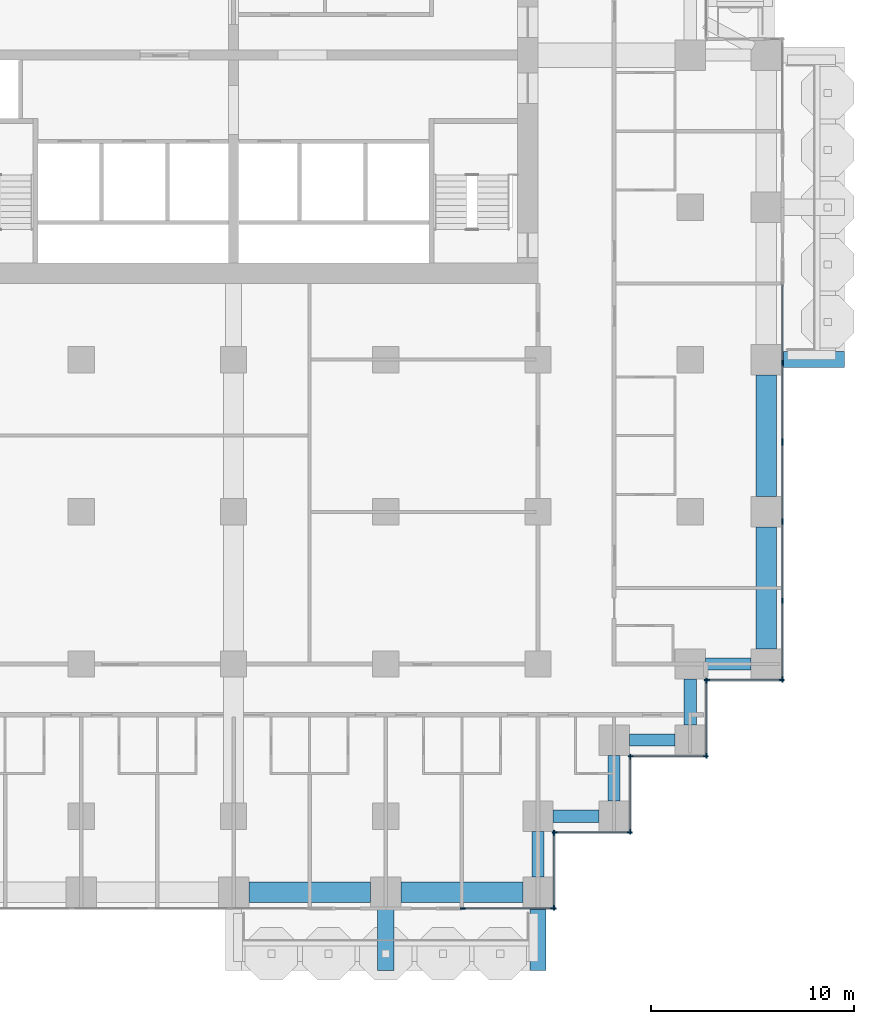
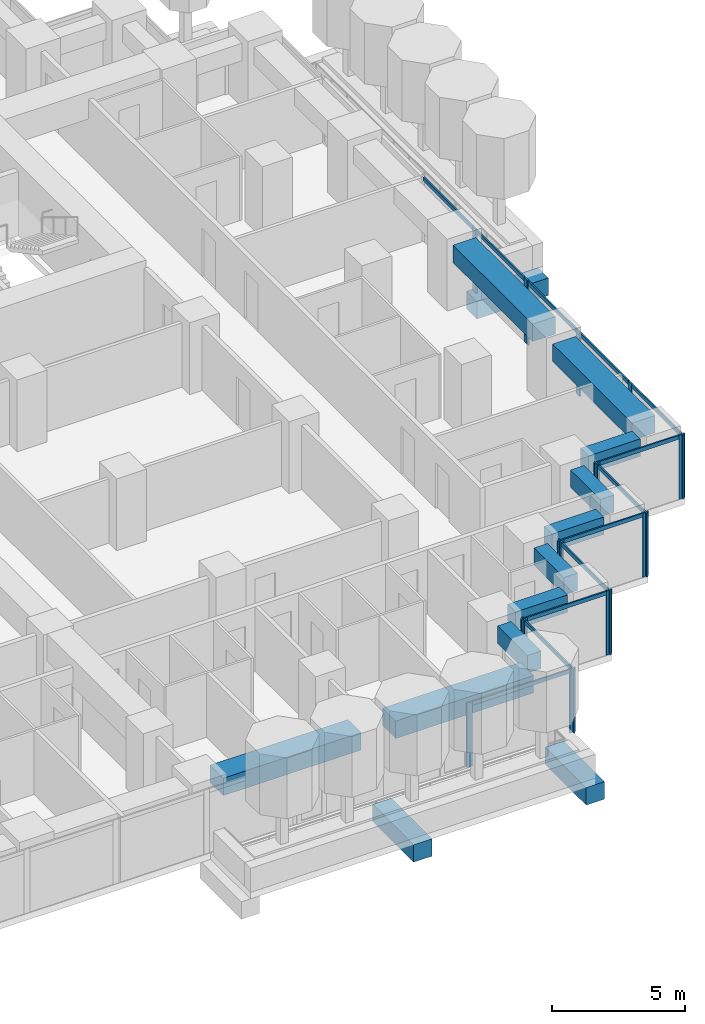
# One storey, part 4 of 20: 32 members, 13 beams, 9 elements without a shape of their own.
"""IFC4 building model written with IfcOpenShell, lengths in metres."""

from ifc_helpers import new_model, si_unit, direction, frame, origin, origin_2d, place, context, subcontext, project, spatial, rectangle, extrude, material, material_profile, profile_set, type_object, element, aggregate, save


model = new_model("IFC4")

# Units and contexts
model_context = context("Model", 3, precision=1e-05, world=origin(), true_north=direction((0.0, 1.0)))
body_context = subcontext(model_context, "Body", "Model", "MODEL_VIEW")
ifc_project = project(units=[si_unit("LENGTHUNIT", "METRE"), si_unit("AREAUNIT", "SQUARE_METRE"), si_unit("VOLUMEUNIT", "CUBIC_METRE"), si_unit("PLANEANGLEUNIT", "RADIAN"), si_unit("MASSUNIT", "GRAM", prefix="KILO")], contexts=[model_context])

# Site, building, storey
site_placement = place(None, origin())
site = spatial("IfcSite", under=ifc_project, at=site_placement, CompositionType="ELEMENT")
building_placement = place(site_placement, origin())
building = spatial("IfcBuilding", under=site, at=building_placement, Name="Pilkhan Gate Tower", CompositionType="ELEMENT")
storey_placement = place(building_placement, frame((0.0, 0.0, 98.89990234375)))
storey = spatial("IfcBuildingStorey", under=building, at=storey_placement, Name="L24", CompositionType="ELEMENT", Elevation=98.89990234375)

# Beams
ifc_material_1 = material(Name="Concrete C50/60", Category="concrete")
ifc_material_profile_1 = material_profile(ifc_material_1, rectangle(XDim=0.800048828125, YDim=0.800048828125, at=origin_2d()), Name="RC 800x800")
ifc_profile_set_1 = profile_set([ifc_material_profile_1], Name="Concrete C50/60")
beam_type_1 = type_object("IfcBeamType", Name="Cantilever beam CB2 RC 800x800 C50/60", PredefinedType="BEAM", material=ifc_profile_set_1)
for number, where, z_axis, x_axis, name in (
    (1, (82.5, 40.5, -0.699951171875), (0.0, -1.0, 0.0), (1.0, 0.0, 0.0), "Balcony beam S.2 L24"),
    (2, (90.0, 40.5, -0.699951171875), (0.0, -1.0, 0.0), (1.0, 0.0, 0.0), "Balcony beam S.3 L24"),
    (3, (102.0, 67.5, -0.699951171875), (1.0, 0.0, 0.0), (0.0, 1.0, 0.0), "Balcony beam E.1 L24"),
):
    element("IfcBeam", number, at=place(storey_placement, frame(where, z_axis=z_axis, x_axis=x_axis)), inside=storey, type_object=beam_type_1, Name=name, PredefinedType="BEAM", context=body_context, shape_type="SweptSolid", body=[
        extrude(rectangle(XDim=0.800048828125, YDim=0.800048828125, at=origin_2d()), origin(), (0.0, 0.0, 1.0), 3.10009765625),
    ])

# Curtain wall, members
ifc_material_2 = material(Name="Pale anodised aluminium, clear low-iron double glazing", Category="aluminium")
curtain_wall_type = type_object("IfcCurtainWallType", Name="Hotel unitised curtain wall CW-H", PredefinedType="USERDEFINED", material=ifc_material_2)
curtain_wall_1_placement = place(storey_placement, origin())
curtain_wall_1 = element("IfcCurtainWall", 4, at=curtain_wall_1_placement, inside=storey, type_object=curtain_wall_type, Name="Hotel unitised curtain wall CW-H L24 E", ObjectType="UNITISED CURTAIN WALL", PredefinedType="USERDEFINED")
ifc_material_3 = material(Name="Pale anodised aluminium", Category="aluminium")
ifc_material_profile_2 = material_profile(ifc_material_3, rectangle(XDim=0.06494140625, YDim=0.25, at=origin_2d()), Name="Mullion 250x65")
ifc_profile_set_2 = profile_set([ifc_material_profile_2], Name="Pale anodised aluminium")
member_type_1 = type_object("IfcMemberType", Name="Mullion CW-H 250x65", PredefinedType="MULLION", material=ifc_profile_set_2)
member_1_placement = place(storey_placement, frame((102.044921875, 51.737548828125, 0.0), z_axis=(0.0, 0.0, 1.0), x_axis=(-1.0, 0.0, 0.0)))
member_1 = element("IfcMember", 5, at=member_1_placement, type_object=member_type_1, Name="CW-H mullion 1", PredefinedType="MULLION", context=body_context, shape_type="SweptSolid", body=[
    extrude(rectangle(XDim=0.06494140625, YDim=0.25, at=origin_2d()), origin(), (0.0, 0.0, 1.0), 2.9501953125),
])
member_2_placement = place(storey_placement, frame((102.044921875, 55.614013671875, 0.0), z_axis=(0.0, 0.0, 1.0), x_axis=(-1.0, 0.0, 0.0)))
member_2 = element("IfcMember", 6, at=member_2_placement, type_object=member_type_1, Name="CW-H mullion 2", PredefinedType="MULLION", context=body_context, shape_type="SweptSolid", body=[
    extrude(rectangle(XDim=0.06494140625, YDim=0.25, at=origin_2d()), origin(), (0.0, 0.0, 1.0), 2.9501953125),
])
member_3_placement = place(storey_placement, frame((102.044921875, 59.52294921875, 0.0), z_axis=(0.0, 0.0, 1.0), x_axis=(-1.0, 0.0, 0.0)))
member_3 = element("IfcMember", 7, at=member_3_placement, type_object=member_type_1, Name="CW-H mullion 3", PredefinedType="MULLION", context=body_context, shape_type="SweptSolid", body=[
    extrude(rectangle(XDim=0.06494140625, YDim=0.25, at=origin_2d()), origin(), (0.0, 0.0, 1.0), 2.9501953125),
])
member_4_placement = place(storey_placement, frame((102.044921875, 63.3994140625, 0.0), z_axis=(0.0, 0.0, 1.0), x_axis=(-1.0, 0.0, 0.0)))
member_4 = element("IfcMember", 8, at=member_4_placement, type_object=member_type_1, Name="CW-H mullion 4", PredefinedType="MULLION", context=body_context, shape_type="SweptSolid", body=[
    extrude(rectangle(XDim=0.06494140625, YDim=0.25, at=origin_2d()), origin(), (0.0, 0.0, 1.0), 2.9501953125),
])

curtain_wall_2_placement = place(storey_placement, origin())
curtain_wall_2 = element("IfcCurtainWall", 9, at=curtain_wall_2_placement, inside=storey, type_object=curtain_wall_type, Name="Hotel unitised curtain wall CW-H L24 E", ObjectType="UNITISED CURTAIN WALL", PredefinedType="USERDEFINED")
member_5_placement = place(storey_placement, frame((102.044921875, 63.464599609375, 0.0), z_axis=(0.0, 0.0, 1.0), x_axis=(-1.0, 0.0, 0.0)))
member_5 = element("IfcMember", 10, at=member_5_placement, type_object=member_type_1, Name="CW-H mullion 1", PredefinedType="MULLION", context=body_context, shape_type="SweptSolid", body=[
    extrude(rectangle(XDim=0.06494140625, YDim=0.25, at=origin_2d()), origin(), (0.0, 0.0, 1.0), 2.9501953125),
])
member_6_placement = place(storey_placement, frame((102.044921875, 67.341064453125, 0.0), z_axis=(0.0, 0.0, 1.0), x_axis=(-1.0, 0.0, 0.0)))
member_6 = element("IfcMember", 11, at=member_6_placement, type_object=member_type_1, Name="CW-H mullion 2", PredefinedType="MULLION", context=body_context, shape_type="SweptSolid", body=[
    extrude(rectangle(XDim=0.06494140625, YDim=0.25, at=origin_2d()), origin(), (0.0, 0.0, 1.0), 2.9501953125),
])

curtain_wall_3_placement = place(storey_placement, origin())
curtain_wall_3 = element("IfcCurtainWall", 12, at=curtain_wall_3_placement, inside=storey, type_object=curtain_wall_type, Name="Hotel unitised curtain wall CW-H L24 S", ObjectType="UNITISED CURTAIN WALL", PredefinedType="USERDEFINED")
member_7_placement = place(storey_placement, frame((86.282470703125, 40.455078125, 0.0), z_axis=(0.0, 0.0, 1.0), x_axis=(0.0, 1.0, 0.0)))
member_7 = element("IfcMember", 13, at=member_7_placement, type_object=member_type_1, Name="CW-H mullion 1", PredefinedType="MULLION", context=body_context, shape_type="SweptSolid", body=[
    extrude(rectangle(XDim=0.06494140625, YDim=0.25, at=origin_2d()), origin(), (0.0, 0.0, 1.0), 2.9501953125),
])
member_8_placement = place(storey_placement, frame((90.762451171875, 40.455078125, 0.0), z_axis=(0.0, 0.0, 1.0), x_axis=(0.0, 1.0, 0.0)))
member_8 = element("IfcMember", 14, at=member_8_placement, type_object=member_type_1, Name="CW-H mullion 2", PredefinedType="MULLION", context=body_context, shape_type="SweptSolid", body=[
    extrude(rectangle(XDim=0.06494140625, YDim=0.25, at=origin_2d()), origin(), (0.0, 0.0, 1.0), 2.9501953125),
])

curtain_wall_4_placement = place(storey_placement, origin())
curtain_wall_4 = element("IfcCurtainWall", 15, at=curtain_wall_4_placement, inside=storey, type_object=curtain_wall_type, Name="Hotel unitised curtain wall CW-H L24 E", ObjectType="UNITISED CURTAIN WALL", PredefinedType="USERDEFINED")
member_9_placement = place(storey_placement, frame((90.794921875, 40.487548828125, 0.0), z_axis=(0.0, 0.0, 1.0), x_axis=(-1.0, 0.0, 0.0)))
member_9 = element("IfcMember", 16, at=member_9_placement, type_object=member_type_1, Name="CW-H mullion 1", PredefinedType="MULLION", context=body_context, shape_type="SweptSolid", body=[
    extrude(rectangle(XDim=0.06494140625, YDim=0.25, at=origin_2d()), origin(), (0.0, 0.0, 1.0), 2.9501953125),
])
member_10_placement = place(storey_placement, frame((90.794921875, 44.172607421875, 0.0), z_axis=(0.0, 0.0, 1.0), x_axis=(-1.0, 0.0, 0.0)))
member_10 = element("IfcMember", 17, at=member_10_placement, type_object=member_type_1, Name="CW-H mullion 2", PredefinedType="MULLION", context=body_context, shape_type="SweptSolid", body=[
    extrude(rectangle(XDim=0.06494140625, YDim=0.25, at=origin_2d()), origin(), (0.0, 0.0, 1.0), 2.9501953125),
])

curtain_wall_5_placement = place(storey_placement, origin())
curtain_wall_5 = element("IfcCurtainWall", 18, at=curtain_wall_5_placement, inside=storey, type_object=curtain_wall_type, Name="Hotel unitised curtain wall CW-H L24 S", ObjectType="UNITISED CURTAIN WALL", PredefinedType="USERDEFINED")
member_11_placement = place(storey_placement, frame((90.827392578125, 44.205078125, 0.0), z_axis=(0.0, 0.0, 1.0), x_axis=(0.0, 1.0, 0.0)))
member_11 = element("IfcMember", 19, at=member_11_placement, type_object=member_type_1, Name="CW-H mullion 1", PredefinedType="MULLION", context=body_context, shape_type="SweptSolid", body=[
    extrude(rectangle(XDim=0.06494140625, YDim=0.25, at=origin_2d()), origin(), (0.0, 0.0, 1.0), 2.9501953125),
])
member_12_placement = place(storey_placement, frame((94.512451171875, 44.205078125, 0.0), z_axis=(0.0, 0.0, 1.0), x_axis=(0.0, 1.0, 0.0)))
member_12 = element("IfcMember", 20, at=member_12_placement, type_object=member_type_1, Name="CW-H mullion 2", PredefinedType="MULLION", context=body_context, shape_type="SweptSolid", body=[
    extrude(rectangle(XDim=0.06494140625, YDim=0.25, at=origin_2d()), origin(), (0.0, 0.0, 1.0), 2.9501953125),
])

curtain_wall_6_placement = place(storey_placement, origin())
curtain_wall_6 = element("IfcCurtainWall", 21, at=curtain_wall_6_placement, inside=storey, type_object=curtain_wall_type, Name="Hotel unitised curtain wall CW-H L24 E", ObjectType="UNITISED CURTAIN WALL", PredefinedType="USERDEFINED")
member_13_placement = place(storey_placement, frame((94.544921875, 44.237548828125, 0.0), z_axis=(0.0, 0.0, 1.0), x_axis=(-1.0, 0.0, 0.0)))
member_13 = element("IfcMember", 22, at=member_13_placement, type_object=member_type_1, Name="CW-H mullion 1", PredefinedType="MULLION", context=body_context, shape_type="SweptSolid", body=[
    extrude(rectangle(XDim=0.06494140625, YDim=0.25, at=origin_2d()), origin(), (0.0, 0.0, 1.0), 2.9501953125),
])
member_14_placement = place(storey_placement, frame((94.544921875, 47.922607421875, 0.0), z_axis=(0.0, 0.0, 1.0), x_axis=(-1.0, 0.0, 0.0)))
member_14 = element("IfcMember", 23, at=member_14_placement, type_object=member_type_1, Name="CW-H mullion 2", PredefinedType="MULLION", context=body_context, shape_type="SweptSolid", body=[
    extrude(rectangle(XDim=0.06494140625, YDim=0.25, at=origin_2d()), origin(), (0.0, 0.0, 1.0), 2.9501953125),
])

curtain_wall_7_placement = place(storey_placement, origin())
curtain_wall_7 = element("IfcCurtainWall", 24, at=curtain_wall_7_placement, inside=storey, type_object=curtain_wall_type, Name="Hotel unitised curtain wall CW-H L24 S", ObjectType="UNITISED CURTAIN WALL", PredefinedType="USERDEFINED")
member_15_placement = place(storey_placement, frame((94.577392578125, 47.955078125, 0.0), z_axis=(0.0, 0.0, 1.0), x_axis=(0.0, 1.0, 0.0)))
member_15 = element("IfcMember", 25, at=member_15_placement, type_object=member_type_1, Name="CW-H mullion 1", PredefinedType="MULLION", context=body_context, shape_type="SweptSolid", body=[
    extrude(rectangle(XDim=0.06494140625, YDim=0.25, at=origin_2d()), origin(), (0.0, 0.0, 1.0), 2.9501953125),
])
member_16_placement = place(storey_placement, frame((98.262451171875, 47.955078125, 0.0), z_axis=(0.0, 0.0, 1.0), x_axis=(0.0, 1.0, 0.0)))
member_16 = element("IfcMember", 26, at=member_16_placement, type_object=member_type_1, Name="CW-H mullion 2", PredefinedType="MULLION", context=body_context, shape_type="SweptSolid", body=[
    extrude(rectangle(XDim=0.06494140625, YDim=0.25, at=origin_2d()), origin(), (0.0, 0.0, 1.0), 2.9501953125),
])

curtain_wall_8_placement = place(storey_placement, origin())
curtain_wall_8 = element("IfcCurtainWall", 27, at=curtain_wall_8_placement, inside=storey, type_object=curtain_wall_type, Name="Hotel unitised curtain wall CW-H L24 E", ObjectType="UNITISED CURTAIN WALL", PredefinedType="USERDEFINED")
member_17_placement = place(storey_placement, frame((98.294921875, 47.987548828125, 0.0), z_axis=(0.0, 0.0, 1.0), x_axis=(-1.0, 0.0, 0.0)))
member_17 = element("IfcMember", 28, at=member_17_placement, type_object=member_type_1, Name="CW-H mullion 1", PredefinedType="MULLION", context=body_context, shape_type="SweptSolid", body=[
    extrude(rectangle(XDim=0.06494140625, YDim=0.25, at=origin_2d()), origin(), (0.0, 0.0, 1.0), 2.9501953125),
])
member_18_placement = place(storey_placement, frame((98.294921875, 51.672607421875, 0.0), z_axis=(0.0, 0.0, 1.0), x_axis=(-1.0, 0.0, 0.0)))
member_18 = element("IfcMember", 29, at=member_18_placement, type_object=member_type_1, Name="CW-H mullion 2", PredefinedType="MULLION", context=body_context, shape_type="SweptSolid", body=[
    extrude(rectangle(XDim=0.06494140625, YDim=0.25, at=origin_2d()), origin(), (0.0, 0.0, 1.0), 2.9501953125),
])

curtain_wall_9_placement = place(storey_placement, origin())
curtain_wall_9 = element("IfcCurtainWall", 30, at=curtain_wall_9_placement, inside=storey, type_object=curtain_wall_type, Name="Hotel unitised curtain wall CW-H L24 S", ObjectType="UNITISED CURTAIN WALL", PredefinedType="USERDEFINED")
member_19_placement = place(storey_placement, frame((98.327392578125, 51.705078125, 0.0), z_axis=(0.0, 0.0, 1.0), x_axis=(0.0, 1.0, 0.0)))
member_19 = element("IfcMember", 31, at=member_19_placement, type_object=member_type_1, Name="CW-H mullion 1", PredefinedType="MULLION", context=body_context, shape_type="SweptSolid", body=[
    extrude(rectangle(XDim=0.06494140625, YDim=0.25, at=origin_2d()), origin(), (0.0, 0.0, 1.0), 2.9501953125),
])
member_20_placement = place(storey_placement, frame((102.012451171875, 51.705078125, 0.0), z_axis=(0.0, 0.0, 1.0), x_axis=(0.0, 1.0, 0.0)))
member_20 = element("IfcMember", 32, at=member_20_placement, type_object=member_type_1, Name="CW-H mullion 2", PredefinedType="MULLION", context=body_context, shape_type="SweptSolid", body=[
    extrude(rectangle(XDim=0.06494140625, YDim=0.25, at=origin_2d()), origin(), (0.0, 0.0, 1.0), 2.9501953125),
])

# Beams
ifc_material_profile_3 = material_profile(ifc_material_1, rectangle(XDim=0.60009765625, YDim=0.800048828125, at=origin_2d()), Name="RC 600x800")
ifc_profile_set_3 = profile_set([ifc_material_profile_3], Name="Concrete C50/60")
beam_type_2 = type_object("IfcBeamType", Name="Terrace edge beam TEB RC 600x800 C50/60", PredefinedType="BEAM", material=ifc_profile_set_3)
for number, where, z_axis, x_axis, name in (
    (33, (100.5, 52.5, 2.550048828125), (-1.0, 0.0, 0.0), (0.0, -1.0, 0.0), "Terrace edge beam 1 L25"),
    (34, (97.5, 51.75, 2.550048828125), (0.0, -1.0, 0.0), (1.0, 0.0, 0.0), "Terrace edge beam 2 L25"),
    (35, (96.75, 48.75, 2.550048828125), (-1.0, 0.0, 0.0), (0.0, -1.0, 0.0), "Terrace edge beam 3 L25"),
    (36, (93.75, 48.0, 2.550048828125), (0.0, -1.0, 0.0), (1.0, 0.0, 0.0), "Terrace edge beam 4 L25"),
    (37, (93.0, 45.0, 2.550048828125), (-1.0, 0.0, 0.0), (0.0, -1.0, 0.0), "Terrace edge beam 5 L25"),
    (38, (90.0, 44.25, 2.550048828125), (0.0, -1.0, 0.0), (1.0, 0.0, 0.0), "Terrace edge beam 6 L25"),
):
    element("IfcBeam", number, at=place(storey_placement, frame(where, z_axis=z_axis, x_axis=x_axis)), inside=storey, type_object=beam_type_2, Name=name, PredefinedType="BEAM", context=body_context, shape_type="SweptSolid", body=[
        extrude(rectangle(XDim=0.60009765625, YDim=0.800048828125, at=origin_2d()), origin(), (0.0, 0.0, 1.0), 2.25),
    ])
ifc_material_profile_4 = material_profile(ifc_material_1, rectangle(XDim=1.0, YDim=0.800048828125, at=origin_2d()), Name="RC 1000x800")
ifc_profile_set_4 = profile_set([ifc_material_profile_4], Name="Concrete C50/60")
beam_type_3 = type_object("IfcBeamType", Name="Terrace edge beam TEB10W RC 1000x800 C50/60", PredefinedType="BEAM", material=ifc_profile_set_4)
for number, where, z_axis, x_axis, name in (
    (39, (89.25, 41.25, 2.550048828125), (-1.0, 0.0, 0.0), (0.0, -1.0, 0.0), "Terrace edge beam 7 L25"),
    (40, (81.75, 41.25, 2.550048828125), (-1.0, 0.0, 0.0), (0.0, -1.0, 0.0), "Terrace edge beam 8 L25"),
    (41, (101.25, 66.75, 2.550048828125), (0.0, -1.0, 0.0), (1.0, 0.0, 0.0), "Terrace edge beam 31 L25"),
    (42, (101.25, 59.25, 2.550048828125), (0.0, -1.0, 0.0), (1.0, 0.0, 0.0), "Terrace edge beam 32 L25"),
):
    element("IfcBeam", number, at=place(storey_placement, frame(where, z_axis=z_axis, x_axis=x_axis)), inside=storey, type_object=beam_type_3, Name=name, PredefinedType="BEAM", context=body_context, shape_type="SweptSolid", body=[
        extrude(rectangle(XDim=1.0, YDim=0.800048828125, at=origin_2d()), origin(), (0.0, 0.0, 1.0), 6.0),
    ])

# Member
ifc_material_profile_5 = material_profile(ifc_material_3, rectangle(XDim=0.06494140625, YDim=0.179931640625, at=origin_2d()), Name="Transom 180x65")
ifc_profile_set_5 = profile_set([ifc_material_profile_5], Name="Pale anodised aluminium")
member_type_2 = type_object("IfcMemberType", Name="Transom CW-H 180x65", PredefinedType="USERDEFINED", material=ifc_profile_set_5)
member_21_placement = place(storey_placement, frame((102.044921875, 51.77001953125, 2.860107421875), z_axis=(0.0, 1.0, 0.0), x_axis=(-1.0, 0.0, 0.0)))
member_21 = element("IfcMember", 43, at=member_21_placement, type_object=member_type_2, Name="CW-H transom 1", ObjectType="TRANSOM", PredefinedType="USERDEFINED", context=body_context, shape_type="SweptSolid", body=[
    extrude(rectangle(XDim=0.06494140625, YDim=0.179931640625, at=origin_2d()), origin(), (0.0, 0.0, 1.0), 3.8115234375),
])

member_22_placement = place(storey_placement, frame((102.044921875, 55.646484375, 2.860107421875), z_axis=(0.0, 1.0, 0.0), x_axis=(-1.0, 0.0, 0.0)))
member_22 = element("IfcMember", 44, at=member_22_placement, type_object=member_type_2, Name="CW-H transom 2", ObjectType="TRANSOM", PredefinedType="USERDEFINED", context=body_context, shape_type="SweptSolid", body=[
    extrude(rectangle(XDim=0.06494140625, YDim=0.179931640625, at=origin_2d()), origin(), (0.0, 0.0, 1.0), 3.843994140625),
])

member_23_placement = place(storey_placement, frame((102.044921875, 59.555419921875, 2.860107421875), z_axis=(0.0, 1.0, 0.0), x_axis=(-1.0, 0.0, 0.0)))
member_23 = element("IfcMember", 45, at=member_23_placement, type_object=member_type_2, Name="CW-H transom 3", ObjectType="TRANSOM", PredefinedType="USERDEFINED", context=body_context, shape_type="SweptSolid", body=[
    extrude(rectangle(XDim=0.06494140625, YDim=0.179931640625, at=origin_2d()), origin(), (0.0, 0.0, 1.0), 3.8115234375),
])

aggregate(curtain_wall_1, [member_1, member_2, member_3, member_4, member_21, member_22, member_23])

member_24_placement = place(storey_placement, frame((102.044921875, 63.4970703125, 2.860107421875), z_axis=(0.0, 1.0, 0.0), x_axis=(-1.0, 0.0, 0.0)))
member_24 = element("IfcMember", 46, at=member_24_placement, type_object=member_type_2, Name="CW-H transom 1", ObjectType="TRANSOM", PredefinedType="USERDEFINED", context=body_context, shape_type="SweptSolid", body=[
    extrude(rectangle(XDim=0.06494140625, YDim=0.179931640625, at=origin_2d()), origin(), (0.0, 0.0, 1.0), 3.8115234375),
])

member_25_placement = place(storey_placement, frame((102.044921875, 67.37353515625, 2.860107421875), z_axis=(0.0, 1.0, 0.0), x_axis=(-1.0, 0.0, 0.0)))
member_25 = element("IfcMember", 47, at=member_25_placement, type_object=member_type_2, Name="CW-H transom 2", ObjectType="TRANSOM", PredefinedType="USERDEFINED", context=body_context, shape_type="SweptSolid", body=[
    extrude(rectangle(XDim=0.06494140625, YDim=0.179931640625, at=origin_2d()), origin(), (0.0, 0.0, 1.0), 3.8115234375),
])

aggregate(curtain_wall_2, [member_5, member_6, member_24, member_25])

member_26_placement = place(storey_placement, frame((86.31494140625, 40.455078125, 2.860107421875), z_axis=(1.0, 0.0, 0.0), x_axis=(0.0, 1.0, 0.0)))
member_26 = element("IfcMember", 48, at=member_26_placement, type_object=member_type_2, Name="CW-H transom 1", ObjectType="TRANSOM", PredefinedType="USERDEFINED", context=body_context, shape_type="SweptSolid", body=[
    extrude(rectangle(XDim=0.06494140625, YDim=0.179931640625, at=origin_2d()), origin(), (0.0, 0.0, 1.0), 4.4150390625),
])

aggregate(curtain_wall_3, [member_7, member_8, member_26])

member_27_placement = place(storey_placement, frame((90.794921875, 40.52001953125, 2.860107421875), z_axis=(0.0, 1.0, 0.0), x_axis=(-1.0, 0.0, 0.0)))
member_27 = element("IfcMember", 49, at=member_27_placement, type_object=member_type_2, Name="CW-H transom 1", ObjectType="TRANSOM", PredefinedType="USERDEFINED", context=body_context, shape_type="SweptSolid", body=[
    extrude(rectangle(XDim=0.06494140625, YDim=0.179931640625, at=origin_2d()), origin(), (0.0, 0.0, 1.0), 3.619873046875),
])

aggregate(curtain_wall_4, [member_9, member_10, member_27])

member_28_placement = place(storey_placement, frame((90.860107421875, 44.205078125, 2.860107421875), z_axis=(1.0, 0.0, 0.0), x_axis=(0.0, 1.0, 0.0)))
member_28 = element("IfcMember", 50, at=member_28_placement, type_object=member_type_2, Name="CW-H transom 1", ObjectType="TRANSOM", PredefinedType="USERDEFINED", context=body_context, shape_type="SweptSolid", body=[
    extrude(rectangle(XDim=0.06494140625, YDim=0.179931640625, at=origin_2d()), origin(), (0.0, 0.0, 1.0), 3.619873046875),
])

aggregate(curtain_wall_5, [member_11, member_12, member_28])

member_29_placement = place(storey_placement, frame((94.544921875, 44.27001953125, 2.860107421875), z_axis=(0.0, 1.0, 0.0), x_axis=(-1.0, 0.0, 0.0)))
member_29 = element("IfcMember", 51, at=member_29_placement, type_object=member_type_2, Name="CW-H transom 1", ObjectType="TRANSOM", PredefinedType="USERDEFINED", context=body_context, shape_type="SweptSolid", body=[
    extrude(rectangle(XDim=0.06494140625, YDim=0.179931640625, at=origin_2d()), origin(), (0.0, 0.0, 1.0), 3.619873046875),
])

aggregate(curtain_wall_6, [member_13, member_14, member_29])

member_30_placement = place(storey_placement, frame((94.610107421875, 47.955078125, 2.860107421875), z_axis=(1.0, 0.0, 0.0), x_axis=(0.0, 1.0, 0.0)))
member_30 = element("IfcMember", 52, at=member_30_placement, type_object=member_type_2, Name="CW-H transom 1", ObjectType="TRANSOM", PredefinedType="USERDEFINED", context=body_context, shape_type="SweptSolid", body=[
    extrude(rectangle(XDim=0.06494140625, YDim=0.179931640625, at=origin_2d()), origin(), (0.0, 0.0, 1.0), 3.619873046875),
])

aggregate(curtain_wall_7, [member_15, member_16, member_30])

member_31_placement = place(storey_placement, frame((98.294921875, 48.02001953125, 2.860107421875), z_axis=(0.0, 1.0, 0.0), x_axis=(-1.0, 0.0, 0.0)))
member_31 = element("IfcMember", 53, at=member_31_placement, type_object=member_type_2, Name="CW-H transom 1", ObjectType="TRANSOM", PredefinedType="USERDEFINED", context=body_context, shape_type="SweptSolid", body=[
    extrude(rectangle(XDim=0.06494140625, YDim=0.179931640625, at=origin_2d()), origin(), (0.0, 0.0, 1.0), 3.619873046875),
])

aggregate(curtain_wall_8, [member_17, member_18, member_31])

member_32_placement = place(storey_placement, frame((98.360107421875, 51.705078125, 2.860107421875), z_axis=(1.0, 0.0, 0.0), x_axis=(0.0, 1.0, 0.0)))
member_32 = element("IfcMember", 54, at=member_32_placement, type_object=member_type_2, Name="CW-H transom 1", ObjectType="TRANSOM", PredefinedType="USERDEFINED", context=body_context, shape_type="SweptSolid", body=[
    extrude(rectangle(XDim=0.06494140625, YDim=0.179931640625, at=origin_2d()), origin(), (0.0, 0.0, 1.0), 3.619873046875),
])

aggregate(curtain_wall_9, [member_19, member_20, member_32])

save(model, "model.ifc")
